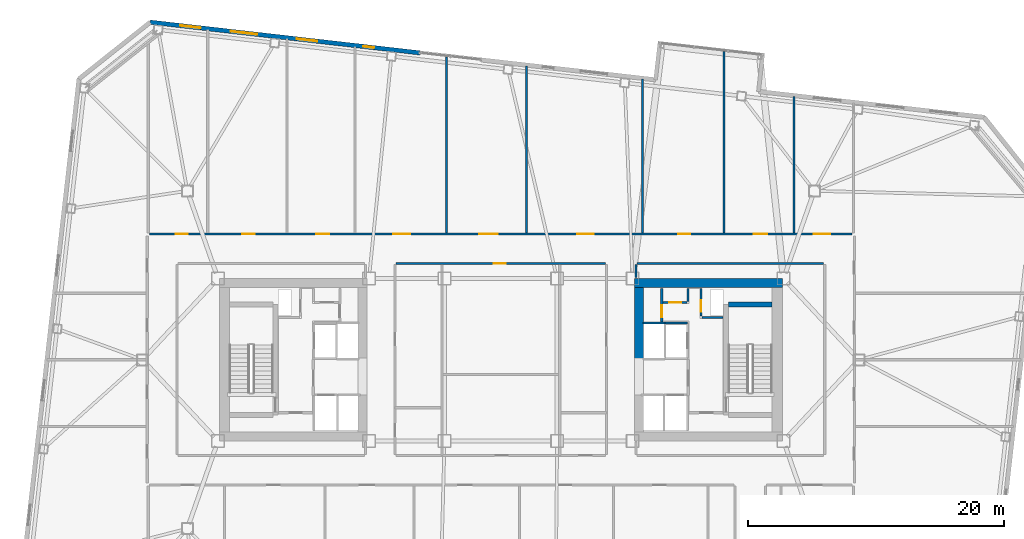
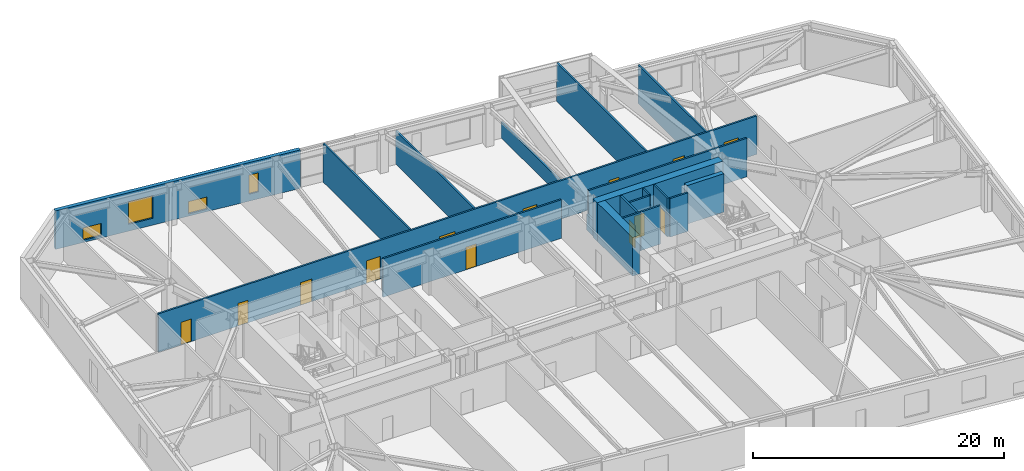
# One storey, part 16 of 23: 20 walls, 13 doors, 4 windows, 17 openings.
"""IFC4 building model written with IfcOpenShell, lengths in metres."""

import ifcopenshell
import ifcopenshell.guid

model = None  # the IFC model being written
_history = None  # IfcOwnerHistory: only IFC2X3 demands one
_inside = {}  # id of a spatial element -> (the spatial element, [elements in it])
_under = {}  # id of a project, library or spatial element -> (it, [spatial elements below it])
_declared = {}  # id of a project -> (the project, [libraries it declares])
_typed = {}  # id of a type object -> (the type object, [elements of that type])
_made_of = {}  # id of a material, layer set ... -> (it, [elements and type objects made of it])


def new_model(schema):
    """Start an empty IFC model of exactly this schema.

    Asked for "IFC4X3", IfcOpenShell would pick the latest addendum, in which some entities
    have other attributes; the version numbers below select the first issue.
    IFC2X3 requires an IfcOwnerHistory on every rooted entity: one is made here for all.
    """
    global model, _history
    if schema == "IFC4X3":
        model = ifcopenshell.file(schema_version=(4, 3, 0, 0))
    else:
        model = ifcopenshell.file(schema=schema)
    _inside.clear()
    _under.clear()
    _declared.clear()
    _typed.clear()
    _made_of.clear()
    _history = None
    if model.schema == "IFC2X3":
        org = make("IfcOrganization", Name="unknown")
        user = make(
            "IfcPersonAndOrganization",
            ThePerson=make("IfcPerson", FamilyName="unknown"),
            TheOrganization=org,
        )
        app = make(
            "IfcApplication",
            ApplicationDeveloper=org,
            Version="unknown",
            ApplicationFullName="unknown",
            ApplicationIdentifier="unknown",
        )
        _history = make(
            "IfcOwnerHistory",
            OwningUser=user,
            OwningApplication=app,
            ChangeAction="ADDED",
            CreationDate=0,
        )
    return model


def make(cls, **values):
    """One entity of the class cls with the attributes given. An attribute that is None is left unset."""
    return model.create_entity(
        cls, **{name: value for name, value in values.items() if value is not None}
    )


def rooted(cls, **values):
    """An entity with a GlobalId (a new one), such as an element, a storey or a relation."""
    return make(cls, GlobalId=ifcopenshell.guid.new(), OwnerHistory=_history, **values)


def si_unit(unit_type, name, prefix=None):
    """IfcSIUnit, for example si_unit("LENGTHUNIT", "METRE", prefix="MILLI")."""
    return make("IfcSIUnit", UnitType=unit_type, Prefix=prefix, Name=name)


def assignment(units):
    """IfcUnitAssignment: the units of a project."""
    return None if units is None else make("IfcUnitAssignment", Units=units)


def point(xyz):
    """IfcCartesianPoint."""
    return None if xyz is None else make("IfcCartesianPoint", Coordinates=xyz)


def direction(xyz):
    """IfcDirection."""
    return None if xyz is None else make("IfcDirection", DirectionRatios=xyz)


def frame(location, z_axis=None, x_axis=None):
    """IfcAxis2Placement3D, a coordinate frame: its origin and axes. An axis left out is left unset."""
    return make(
        "IfcAxis2Placement3D",
        Location=point(location),
        Axis=direction(z_axis),
        RefDirection=direction(x_axis),
    )


def frame_2d(location, x_axis=None):
    """IfcAxis2Placement2D, a coordinate frame in the plane: its origin and x axis."""
    return make(
        "IfcAxis2Placement2D", Location=point(location), RefDirection=direction(x_axis)
    )


def origin():
    """The frame at (0, 0, 0) with its axes left unset."""
    return frame((0.0, 0.0, 0.0))


def place(relative_to, where):
    """IfcLocalPlacement: puts the frame where relative to a parent placement (None: the world)."""
    return make(
        "IfcLocalPlacement", PlacementRelTo=relative_to, RelativePlacement=where
    )


def context(
    kind, dimensions, precision=None, world=None, true_north=None, identifier=None
):
    """IfcGeometricRepresentationContext, for example the 3D "Model" context."""
    return make(
        "IfcGeometricRepresentationContext",
        ContextIdentifier=identifier,
        ContextType=kind,
        CoordinateSpaceDimension=dimensions,
        Precision=precision,
        WorldCoordinateSystem=world,
        TrueNorth=true_north,
    )


def subcontext(parent, identifier, kind, view, scale=None):
    """IfcGeometricRepresentationSubContext, for example "Body" below "Model"."""
    return make(
        "IfcGeometricRepresentationSubContext",
        ContextIdentifier=identifier,
        ContextType=kind,
        ParentContext=parent,
        TargetScale=scale,
        TargetView=view,
    )


def project(units=None, contexts=None):
    """IfcProject with its units and contexts."""
    return rooted(
        "IfcProject",
        Name="project",
        RepresentationContexts=contexts,
        UnitsInContext=assignment(units),
    )


def spatial(cls, under=None, at=None, **own):
    """A site, building, storey or space (cls), placed at a placement, below another one or the project."""
    s = rooted(cls, ObjectPlacement=at, **own)
    if under is not None:
        _under.setdefault(under.id(), (under, []))[1].append(s)
    return s


def profile(cls, at=None, kind="AREA", **sizes):
    """A parametric profile (cls). Its sizes go by their IFC names, for example OverallWidth=200.0."""
    return make(cls, ProfileType=kind, Position=at, **sizes)


def rectangle(**sizes):
    """IfcRectangleProfileDef."""
    return profile("IfcRectangleProfileDef", **sizes)


def extrude(swept, where, along, depth):
    """IfcExtrudedAreaSolid: the profile swept, set in the frame where, extruded along a direction by depth."""
    return make(
        "IfcExtrudedAreaSolid",
        SweptArea=swept,
        Position=where,
        ExtrudedDirection=direction(along),
        Depth=depth,
    )


def shape(context_of_items, identifier, shape_type, items):
    """IfcShapeRepresentation: the items that make up one representation, for example the "Body"."""
    return make(
        "IfcShapeRepresentation",
        ContextOfItems=context_of_items,
        RepresentationIdentifier=identifier,
        RepresentationType=shape_type,
        Items=items,
    )


def material(Name=None, Category=None):
    """IfcMaterial."""
    return make("IfcMaterial", Name=Name, Category=Category)


def layer(
    of_material, thickness, ventilated=None, Name=None, Category=None, Priority=None
):
    """IfcMaterialLayer: one layer of a wall or slab, of a material (None: an air gap)."""
    return make(
        "IfcMaterialLayer",
        Material=of_material,
        LayerThickness=thickness,
        IsVentilated=ventilated,
        Name=Name,
        Category=Category,
        Priority=Priority,
    )


def layer_set(layers, Name=None):
    """IfcMaterialLayerSet."""
    return make("IfcMaterialLayerSet", MaterialLayers=layers, LayerSetName=Name)


def made_of(thing, what):
    """Note that an element or type object is made of a material, layer set ...; save() writes the relation."""
    if what is not None:
        _made_of.setdefault(what.id(), (what, []))[1].append(thing)
    return thing


def type_object(cls, material=None, **own):
    """A type object (cls), such as IfcWallType, which elements share."""
    return made_of(rooted(cls, **own), material)


def element(
    cls,
    number,
    at=None,
    inside=None,
    cuts=None,
    type_object=None,
    material=None,
    context=None,
    identifier="Body",
    shape_type=None,
    held_by="IfcProductDefinitionShape",
    body=None,
    shapes=None,
    **own,
):
    """One element of the class cls, such as IfcWall. Its Tag is "e" and its number.

    at: its placement. inside: the storey or other place that contains it. cuts: it is an
    opening in that element (IfcRelVoidsElement). A single representation is given by context,
    identifier, shape_type and body (its items); several are given by shapes. held_by: the class
    of the entity that holds the representations. save() writes the other relations.
    """
    e = rooted(cls, Tag="e%d" % number, ObjectPlacement=at, **own)
    if body is not None:
        shapes = [shape(context, identifier, shape_type, body)]
    if shapes is not None:
        e.Representation = make(held_by, Representations=shapes)
    if inside is not None:
        _inside.setdefault(inside.id(), (inside, []))[1].append(e)
    if cuts is not None:
        rooted(
            "IfcRelVoidsElement", RelatingBuildingElement=cuts, RelatedOpeningElement=e
        )
    if type_object is not None:
        _typed.setdefault(type_object.id(), (type_object, []))[1].append(e)
    return made_of(e, material)


def fill(opening, filler):
    """IfcRelFillsElement: the door or window that sits in an opening."""
    return rooted(
        "IfcRelFillsElement",
        RelatingOpeningElement=opening,
        RelatedBuildingElement=filler,
    )


def aggregate(whole, parts):
    """IfcRelAggregates: a whole, such as a stair, and the parts it consists of."""
    return rooted("IfcRelAggregates", RelatingObject=whole, RelatedObjects=parts)


def save(model, path):
    """Write the relations noted so far, then the file.

    IfcRelAggregates (storeys below a building ...), IfcRelContainedInSpatialStructure (elements
    in a storey), IfcRelDefinesByType, IfcRelAssociatesMaterial and IfcRelDeclares: one each for
    every whole, place, type object, material and project.
    """
    for whole, parts in _under.values():
        aggregate(whole, parts)
    for where, things in _inside.values():
        rooted(
            "IfcRelContainedInSpatialStructure",
            RelatedElements=things,
            RelatingStructure=where,
        )
    for kind, things in _typed.values():
        rooted("IfcRelDefinesByType", RelatedObjects=things, RelatingType=kind)
    for what, things in _made_of.values():
        rooted("IfcRelAssociatesMaterial", RelatedObjects=things, RelatingMaterial=what)
    for by, libraries in _declared.values():
        rooted("IfcRelDeclares", RelatingContext=by, RelatedDefinitions=libraries)
    model.write(path)


model = new_model("IFC4")

# Units and contexts
model_context = context("Model", 3, precision=1e-05, world=origin(), true_north=direction((0.0, 1.0)))
body_context = subcontext(model_context, "Body", "Model", "MODEL_VIEW")
ifc_project = project(units=[si_unit("LENGTHUNIT", "METRE"), si_unit("AREAUNIT", "SQUARE_METRE"), si_unit("VOLUMEUNIT", "CUBIC_METRE"), si_unit("PLANEANGLEUNIT", "RADIAN"), si_unit("MASSUNIT", "GRAM", prefix="KILO")], contexts=[model_context])

# Site, building, storey
site_placement = place(None, origin())
site = spatial("IfcSite", under=ifc_project, at=site_placement, CompositionType="ELEMENT")
building_placement = place(site_placement, origin())
building = spatial("IfcBuilding", under=site, at=building_placement, Name="Tavrogorsk Clinical Tower", CompositionType="ELEMENT")
storey_placement = place(building_placement, frame((0.0, 0.0, 113.39990234375)))
storey = spatial("IfcBuildingStorey", under=building, at=storey_placement, Name="L25", CompositionType="ELEMENT", Elevation=113.39990234375)

# Wall, opening, door
ifc_material_1 = material(Name="Lightweight concrete blockwork B15", Category="masonry")
ifc_layer_1 = layer(ifc_material_1, 0.159912109375)
ifc_layer_set_1 = layer_set([ifc_layer_1], Name="Lightweight concrete blockwork B15")
wall_type_1 = type_object("IfcWallType", Name="PartitionWall_160", PredefinedType="PARTITIONING", material=ifc_layer_set_1)
wall_1_placement = place(storey_placement, frame((12.580078125, 2.9599609375, 0.0), z_axis=(0.0, 0.0, 1.0), x_axis=(0.0, 1.0, 0.0)))
wall_1 = element("IfcWall", 1, at=wall_1_placement, inside=storey, type_object=wall_type_1, Name="L25 Core East Linen Closet Wall", PredefinedType="PARTITIONING", context=body_context, shape_type="SweptSolid", body=[
    extrude(rectangle(XDim=2.60009765625, YDim=0.159912109375, at=frame_2d((1.300048828125, 0.0))), origin(), (0.0, 0.0, 1.0), 3.739990234375),
])
opening_1_placement = place(wall_1_placement, frame((0.35009765625, 0.0, 0.0)))
opening_1 = element("IfcOpeningElement", 2, at=opening_1_placement, cuts=wall_1, Name="Opening ID-02", PredefinedType="OPENING", context=body_context, shape_type="SweptSolid", body=[
    extrude(rectangle(XDim=0.949951171875, YDim=2.199951171875, at=frame_2d((0.47509765625, 1.10009765625))), frame((0.0, 0.08984375, 0.0), z_axis=(0.0, -1.0, 0.0), x_axis=(1.0, 0.0, 0.0)), (0.0, 0.0, 1.0), 0.179931640625),
])
ifc_material_2 = material(Name="Laminated timber leaf on aluminium frame", Category="wood")
door_type_1 = type_object("IfcDoorType", Name="InteriorDoor_ID02_950", OperationType="NOTDEFINED", PredefinedType="DOOR", material=ifc_material_2)
door_1_placement = place(opening_1_placement, origin())
door_1 = element("IfcDoor", 3, at=door_1_placement, inside=storey, type_object=door_type_1, Name="L25 Core East Linen Closet Door", OperationType="SINGLE_SWING_RIGHT", OverallHeight=2.199951171875, OverallWidth=0.949951171875, PredefinedType="DOOR", context=body_context, shape_type="SweptSolid", body=[
    extrude(rectangle(XDim=0.949951171875, YDim=2.199951171875, at=frame_2d((0.47509765625, 1.10009765625))), frame((0.0, 0.02490234375, 0.0), z_axis=(0.0, -1.0, 0.0), x_axis=(1.0, 0.0, 0.0)), (0.0, 0.0, 1.0), 0.050048828125),
])
fill(opening_1, door_1)

wall_2_placement = place(storey_placement, frame((12.6650390625, 4.47998046875, 0.0), z_axis=(0.0, 0.0, 1.0), x_axis=(1.0, 0.0, 0.0)))
wall_2 = element("IfcWall", 4, at=wall_2_placement, inside=storey, type_object=wall_type_1, Name="L25 Core East Housekeeping South Wall", PredefinedType="PARTITIONING", context=body_context, shape_type="SweptSolid", body=[
    extrude(rectangle(XDim=1.889892578125, YDim=0.159912109375, at=frame_2d((0.94482421875, 0.0))), origin(), (0.0, 0.0, 1.0), 3.739990234375),
])
opening_2_placement = place(wall_2_placement, frame((0.5, 0.0, 0.0)))
opening_2 = element("IfcOpeningElement", 5, at=opening_2_placement, cuts=wall_2, Name="Opening ID-02", PredefinedType="OPENING", context=body_context, shape_type="SweptSolid", body=[
    extrude(rectangle(XDim=0.949951171875, YDim=2.199951171875, at=frame_2d((0.47509765625, 1.10009765625))), frame((0.0, 0.08984375, 0.0), z_axis=(0.0, -1.0, 0.0), x_axis=(1.0, 0.0, 0.0)), (0.0, 0.0, 1.0), 0.179931640625),
])
door_2_placement = place(opening_2_placement, origin())
door_2 = element("IfcDoor", 6, at=door_2_placement, inside=storey, type_object=door_type_1, Name="L25 Core East Housekeeping Closet Door", OperationType="SINGLE_SWING_LEFT", OverallHeight=2.199951171875, OverallWidth=0.949951171875, PredefinedType="DOOR", context=body_context, shape_type="SweptSolid", body=[
    extrude(rectangle(XDim=0.949951171875, YDim=2.199951171875, at=frame_2d((0.47509765625, 1.10009765625))), frame((0.0, 0.02490234375, 0.0), z_axis=(0.0, -1.0, 0.0), x_axis=(1.0, 0.0, 0.0)), (0.0, 0.0, 1.0), 0.050048828125),
])
fill(opening_2, door_2)

# Wall
wall_3_placement = place(storey_placement, frame((14.639892578125, 4.56494140625, 0.0), z_axis=(0.0, 0.0, 1.0), x_axis=(0.0, 1.0, 0.0)))
element("IfcWall", 7, at=wall_3_placement, inside=storey, type_object=wall_type_1, Name="L25 Core East Housekeeping East Wall", PredefinedType="PARTITIONING", context=body_context, shape_type="SweptSolid", body=[
    extrude(rectangle(XDim=0.9951171875, YDim=0.159912109375, at=frame_2d((0.49755859375, 0.0))), origin(), (0.0, 0.0, 1.0), 3.739990234375),
])

# Wall, openings, doors
wall_4_placement = place(storey_placement, frame((-27.465087890625, 9.830078125, 0.0), z_axis=(0.0, 0.0, 1.0), x_axis=(1.0, 0.0, 0.0)))
wall_4 = element("IfcWall", 8, at=wall_4_placement, inside=storey, type_object=wall_type_1, Name="L25 Corridor Partition 03", PredefinedType="PARTITIONING", context=body_context, shape_type="SweptSolid", body=[
    extrude(rectangle(XDim=54.93017578125, YDim=0.159912109375, at=frame_2d((27.465087890625, 0.0))), origin(), (0.0, 0.0, 1.0), 3.739990234375),
])
opening_3_placement = place(wall_4_placement, frame((2.044189453125, 0.0, 0.0)))
opening_3 = element("IfcOpeningElement", 9, at=opening_3_placement, cuts=wall_4, Name="Opening ID-02", PredefinedType="OPENING", context=body_context, shape_type="SweptSolid", body=[
    extrude(rectangle(XDim=0.949951171875, YDim=2.199951171875, at=frame_2d((0.47509765625, 1.10009765625))), frame((0.0, 0.08984375, 0.0), z_axis=(0.0, -1.0, 0.0), x_axis=(1.0, 0.0, 0.0)), (0.0, 0.0, 1.0), 0.179931640625),
])
opening_4_placement = place(wall_4_placement, frame((7.27490234375, 0.0, 0.0)))
opening_4 = element("IfcOpeningElement", 10, at=opening_4_placement, cuts=wall_4, Name="Opening ID-02", PredefinedType="OPENING", context=body_context, shape_type="SweptSolid", body=[
    extrude(rectangle(XDim=0.949951171875, YDim=2.199951171875, at=frame_2d((0.47509765625, 1.10009765625))), frame((0.0, 0.08984375, 0.0), z_axis=(0.0, -1.0, 0.0), x_axis=(1.0, 0.0, 0.0)), (0.0, 0.0, 1.0), 0.179931640625),
])
opening_5_placement = place(wall_4_placement, frame((13.02490234375, 0.0, 0.0)))
opening_5 = element("IfcOpeningElement", 11, at=opening_5_placement, cuts=wall_4, Name="Opening ID-04", PredefinedType="OPENING", context=body_context, shape_type="SweptSolid", body=[
    extrude(rectangle(XDim=1.050048828125, YDim=2.199951171875, at=frame_2d((0.52490234375, 1.10009765625))), frame((0.0, 0.08984375, 0.0), z_axis=(0.0, -1.0, 0.0), x_axis=(1.0, 0.0, 0.0)), (0.0, 0.0, 1.0), 0.179931640625),
])
opening_6_placement = place(wall_4_placement, frame((19.074951171875, 0.0, 0.0)))
opening_6 = element("IfcOpeningElement", 12, at=opening_6_placement, cuts=wall_4, Name="Opening ID-01", PredefinedType="OPENING", context=body_context, shape_type="SweptSolid", body=[
    extrude(rectangle(XDim=1.300048828125, YDim=2.199951171875, at=frame_2d((0.64990234375, 1.10009765625))), frame((0.0, 0.08984375, 0.0), z_axis=(0.0, -1.0, 0.0), x_axis=(1.0, 0.0, 0.0)), (0.0, 0.0, 1.0), 0.179931640625),
])
opening_7_placement = place(wall_4_placement, frame((25.77490234375, 0.0, 0.0)))
opening_7 = element("IfcOpeningElement", 13, at=opening_7_placement, cuts=wall_4, Name="Opening ID-05", PredefinedType="OPENING", context=body_context, shape_type="SweptSolid", body=[
    extrude(rectangle(XDim=1.449951171875, YDim=2.199951171875, at=frame_2d((0.72509765625, 1.10009765625))), frame((0.0, 0.08984375, 0.0), z_axis=(0.0, -1.0, 0.0), x_axis=(1.0, 0.0, 0.0)), (0.0, 0.0, 1.0), 0.179931640625),
])
opening_8_placement = place(wall_4_placement, frame((33.443603515625, 0.0, 0.0)))
opening_8 = element("IfcOpeningElement", 14, at=opening_8_placement, cuts=wall_4, Name="Opening ID-01", PredefinedType="OPENING", context=body_context, shape_type="SweptSolid", body=[
    extrude(rectangle(XDim=1.300048828125, YDim=2.199951171875, at=frame_2d((0.64990234375, 1.10009765625))), frame((0.0, 0.08984375, 0.0), z_axis=(0.0, -1.0, 0.0), x_axis=(1.0, 0.0, 0.0)), (0.0, 0.0, 1.0), 0.179931640625),
])
opening_9_placement = place(wall_4_placement, frame((41.340576171875, 0.0, 0.0)))
opening_9 = element("IfcOpeningElement", 15, at=opening_9_placement, cuts=wall_4, Name="Opening ID-02", PredefinedType="OPENING", context=body_context, shape_type="SweptSolid", body=[
    extrude(rectangle(XDim=0.949951171875, YDim=2.199951171875, at=frame_2d((0.47509765625, 1.10009765625))), frame((0.0, 0.08984375, 0.0), z_axis=(0.0, -1.0, 0.0), x_axis=(1.0, 0.0, 0.0)), (0.0, 0.0, 1.0), 0.179931640625),
])
opening_10_placement = place(wall_4_placement, frame((47.2470703125, 0.0, 0.0)))
opening_10 = element("IfcOpeningElement", 16, at=opening_10_placement, cuts=wall_4, Name="Opening ID-04", PredefinedType="OPENING", context=body_context, shape_type="SweptSolid", body=[
    extrude(rectangle(XDim=1.050048828125, YDim=2.199951171875, at=frame_2d((0.52490234375, 1.10009765625))), frame((0.0, 0.08984375, 0.0), z_axis=(0.0, -1.0, 0.0), x_axis=(1.0, 0.0, 0.0)), (0.0, 0.0, 1.0), 0.179931640625),
])
opening_11_placement = place(wall_4_placement, frame((51.930908203125, 0.0, 0.0)))
opening_11 = element("IfcOpeningElement", 17, at=opening_11_placement, cuts=wall_4, Name="Opening ID-01", PredefinedType="OPENING", context=body_context, shape_type="SweptSolid", body=[
    extrude(rectangle(XDim=1.300048828125, YDim=2.199951171875, at=frame_2d((0.64990234375, 1.10009765625))), frame((0.0, 0.08984375, 0.0), z_axis=(0.0, -1.0, 0.0), x_axis=(1.0, 0.0, 0.0)), (0.0, 0.0, 1.0), 0.179931640625),
])
ifc_material_3 = material(Name="Antibacterial HPL consultation door on aluminium frame", Category="aluminium")
door_type_2 = type_object("IfcDoorType", Name="ConsultDoor_ID04_1050", OperationType="NOTDEFINED", PredefinedType="DOOR", material=ifc_material_3)
door_3_placement = place(opening_5_placement, origin())
door_3 = element("IfcDoor", 18, at=door_3_placement, inside=storey, type_object=door_type_2, Name="L25 North Physiotherapy Rehab Studio 02B Door", OperationType="SINGLE_SWING_LEFT", OverallHeight=2.199951171875, OverallWidth=1.050048828125, PredefinedType="DOOR", context=body_context, shape_type="SweptSolid", body=[
    extrude(rectangle(XDim=1.050048828125, YDim=2.199951171875, at=frame_2d((0.52490234375, 1.10009765625))), frame((0.0, 0.02490234375, 0.0), z_axis=(0.0, -1.0, 0.0), x_axis=(1.0, 0.0, 0.0)), (0.0, 0.0, 1.0), 0.050048828125),
])
fill(opening_5, door_3)
door_4_placement = place(opening_10_placement, origin())
door_4 = element("IfcDoor", 19, at=door_4_placement, inside=storey, type_object=door_type_2, Name="L25 North Patient & Family Quiet Lounge 05B Door", OperationType="SINGLE_SWING_RIGHT", OverallHeight=2.199951171875, OverallWidth=1.050048828125, PredefinedType="DOOR", context=body_context, shape_type="SweptSolid", body=[
    extrude(rectangle(XDim=1.050048828125, YDim=2.199951171875, at=frame_2d((0.52490234375, 1.10009765625))), frame((0.0, 0.02490234375, 0.0), z_axis=(0.0, -1.0, 0.0), x_axis=(1.0, 0.0, 0.0)), (0.0, 0.0, 1.0), 0.050048828125),
])
fill(opening_10, door_4)
ifc_material_4 = material(Name="Antibacterial HPL bariatric ward double door")
door_type_3 = type_object("IfcDoorType", Name="DoubleWardDoor_ID05_1450", OperationType="DOUBLE_SWING_LEFT", PredefinedType="DOOR", material=ifc_material_4)
door_5_placement = place(opening_7_placement, origin())
door_5 = element("IfcDoor", 20, at=door_5_placement, inside=storey, type_object=door_type_3, Name="L25 North Step-Down Telemetry Ward 03B Door", OperationType="DOUBLE_SWING_LEFT", OverallHeight=2.199951171875, OverallWidth=1.449951171875, PredefinedType="DOOR", context=body_context, shape_type="SweptSolid", body=[
    extrude(rectangle(XDim=1.449951171875, YDim=2.199951171875, at=frame_2d((0.72509765625, 1.10009765625))), frame((0.0, 0.02490234375, 0.0), z_axis=(0.0, -1.0, 0.0), x_axis=(1.0, 0.0, 0.0)), (0.0, 0.0, 1.0), 0.050048828125),
])
fill(opening_7, door_5)
door_6_placement = place(opening_3_placement, origin())
door_6 = element("IfcDoor", 21, at=door_6_placement, inside=storey, type_object=door_type_1, Name="L25 North Physician Consultation Office 01 Door", OperationType="SINGLE_SWING_LEFT", OverallHeight=2.199951171875, OverallWidth=0.949951171875, PredefinedType="DOOR", context=body_context, shape_type="SweptSolid", body=[
    extrude(rectangle(XDim=0.949951171875, YDim=2.199951171875, at=frame_2d((0.47509765625, 1.10009765625))), frame((0.0, 0.02490234375, 0.0), z_axis=(0.0, -1.0, 0.0), x_axis=(1.0, 0.0, 0.0)), (0.0, 0.0, 1.0), 0.050048828125),
])
fill(opening_3, door_6)
door_7_placement = place(opening_4_placement, origin())
door_7 = element("IfcDoor", 22, at=door_7_placement, inside=storey, type_object=door_type_1, Name="L25 North Patient & Family Quiet Lounge 02A Door", OperationType="SINGLE_SWING_RIGHT", OverallHeight=2.199951171875, OverallWidth=0.949951171875, PredefinedType="DOOR", context=body_context, shape_type="SweptSolid", body=[
    extrude(rectangle(XDim=0.949951171875, YDim=2.199951171875, at=frame_2d((0.47509765625, 1.10009765625))), frame((0.0, 0.02490234375, 0.0), z_axis=(0.0, -1.0, 0.0), x_axis=(1.0, 0.0, 0.0)), (0.0, 0.0, 1.0), 0.050048828125),
])
fill(opening_4, door_7)
door_8_placement = place(opening_9_placement, origin())
door_8 = element("IfcDoor", 23, at=door_8_placement, inside=storey, type_object=door_type_1, Name="L25 North Multidisciplinary Case Room 05A Door", OperationType="SINGLE_SWING_LEFT", OverallHeight=2.199951171875, OverallWidth=0.949951171875, PredefinedType="DOOR", context=body_context, shape_type="SweptSolid", body=[
    extrude(rectangle(XDim=0.949951171875, YDim=2.199951171875, at=frame_2d((0.47509765625, 1.10009765625))), frame((0.0, 0.02490234375, 0.0), z_axis=(0.0, -1.0, 0.0), x_axis=(1.0, 0.0, 0.0)), (0.0, 0.0, 1.0), 0.050048828125),
])
fill(opening_9, door_8)
ifc_material_5 = material(Name="Antibacterial HPL medical leaf on aluminium frame", Category="aluminium")
door_type_4 = type_object("IfcDoorType", Name="WardBedDoor_ID01_1300", OperationType="NOTDEFINED", PredefinedType="DOOR", material=ifc_material_5)
door_9_placement = place(opening_6_placement, origin())
door_9 = element("IfcDoor", 24, at=door_9_placement, inside=storey, type_object=door_type_4, Name="L25 North Acute Isolation Suite 03A Door", OperationType="SINGLE_SWING_RIGHT", OverallHeight=2.199951171875, OverallWidth=1.300048828125, PredefinedType="DOOR", context=body_context, shape_type="SweptSolid", body=[
    extrude(rectangle(XDim=1.300048828125, YDim=2.199951171875, at=frame_2d((0.64990234375, 1.10009765625))), frame((0.0, 0.02490234375, 0.0), z_axis=(0.0, -1.0, 0.0), x_axis=(1.0, 0.0, 0.0)), (0.0, 0.0, 1.0), 0.050048828125),
])
fill(opening_6, door_9)
door_10_placement = place(opening_8_placement, origin())
door_10 = element("IfcDoor", 25, at=door_10_placement, inside=storey, type_object=door_type_4, Name="L25 North Sub-Acute Recovery Ward 04 Door", OperationType="SINGLE_SWING_RIGHT", OverallHeight=2.199951171875, OverallWidth=1.300048828125, PredefinedType="DOOR", context=body_context, shape_type="SweptSolid", body=[
    extrude(rectangle(XDim=1.300048828125, YDim=2.199951171875, at=frame_2d((0.64990234375, 1.10009765625))), frame((0.0, 0.02490234375, 0.0), z_axis=(0.0, -1.0, 0.0), x_axis=(1.0, 0.0, 0.0)), (0.0, 0.0, 1.0), 0.050048828125),
])
fill(opening_8, door_10)
door_11_placement = place(opening_11_placement, origin())
door_11 = element("IfcDoor", 26, at=door_11_placement, inside=storey, type_object=door_type_4, Name="L25 North Inpatient Clinical Ward 06 Door", OperationType="SINGLE_SWING_LEFT", OverallHeight=2.199951171875, OverallWidth=1.300048828125, PredefinedType="DOOR", context=body_context, shape_type="SweptSolid", body=[
    extrude(rectangle(XDim=1.300048828125, YDim=2.199951171875, at=frame_2d((0.64990234375, 1.10009765625))), frame((0.0, 0.02490234375, 0.0), z_axis=(0.0, -1.0, 0.0), x_axis=(1.0, 0.0, 0.0)), (0.0, 0.0, 1.0), 0.050048828125),
])
fill(opening_11, door_11)

# Walls
wall_5_placement = place(storey_placement, frame((25.235107421875, 7.52001953125, 0.0), z_axis=(0.0, 0.0, 1.0), x_axis=(-1.0, 0.0, 0.0)))
element("IfcWall", 27, at=wall_5_placement, inside=storey, type_object=wall_type_1, Name="L25 Corridor Partition 09", PredefinedType="PARTITIONING", context=body_context, shape_type="SweptSolid", body=[
    extrude(rectangle(XDim=14.570068359375, YDim=0.159912109375, at=frame_2d((7.28515625, 0.0))), origin(), (0.0, 0.0, 1.0), 3.739990234375),
])
wall_6_placement = place(storey_placement, frame((10.580078125, 7.43505859375, 0.0), z_axis=(0.0, 0.0, 1.0), x_axis=(0.0, -1.0, 0.0)))
element("IfcWall", 28, at=wall_6_placement, inside=storey, type_object=wall_type_1, Name="L25 Corridor Partition 10", PredefinedType="PARTITIONING", context=body_context, shape_type="SweptSolid", body=[
    extrude(rectangle(XDim=1.01513671875, YDim=0.159912109375, at=frame_2d((0.507568359375, 0.0))), origin(), (0.0, 0.0, 1.0), 1.53515625),
])

# Wall, opening, door
wall_7_placement = place(storey_placement, frame((8.18505859375, 7.52001953125, 0.0), z_axis=(0.0, 0.0, 1.0), x_axis=(-1.0, 0.0, 0.0)))
wall_7 = element("IfcWall", 29, at=wall_7_placement, inside=storey, type_object=wall_type_1, Name="L25 Corridor Partition 14", PredefinedType="PARTITIONING", context=body_context, shape_type="SweptSolid", body=[
    extrude(rectangle(XDim=16.3701171875, YDim=0.159912109375, at=frame_2d((8.18505859375, 0.0))), origin(), (0.0, 0.0, 1.0), 3.739990234375),
])
opening_12_placement = place(wall_7_placement, frame((7.794921875, 0.0, 0.0)))
opening_12 = element("IfcOpeningElement", 30, at=opening_12_placement, cuts=wall_7, Name="Opening ID-02", PredefinedType="OPENING", context=body_context, shape_type="SweptSolid", body=[
    extrude(rectangle(XDim=0.949951171875, YDim=2.199951171875, at=frame_2d((0.47509765625, 1.10009765625))), frame((0.0, 0.08984375, 0.0), z_axis=(0.0, -1.0, 0.0), x_axis=(1.0, 0.0, 0.0)), (0.0, 0.0, 1.0), 0.179931640625),
])
door_12_placement = place(opening_12_placement, origin())
door_12 = element("IfcDoor", 31, at=door_12_placement, inside=storey, type_object=door_type_1, Name="L25 Nurses' Station & Triage Hub Door", OperationType="SINGLE_SWING_LEFT", OverallHeight=2.199951171875, OverallWidth=0.949951171875, PredefinedType="DOOR", context=body_context, shape_type="SweptSolid", body=[
    extrude(rectangle(XDim=0.949951171875, YDim=2.199951171875, at=frame_2d((0.47509765625, 1.10009765625))), frame((0.0, 0.02490234375, 0.0), z_axis=(0.0, -1.0, 0.0), x_axis=(1.0, 0.0, 0.0)), (0.0, 0.0, 1.0), 0.050048828125),
])
fill(opening_12, door_12)

# Walls
wall_8_placement = place(storey_placement, frame((2.0, 9.9150390625, 0.0), z_axis=(0.0, 0.0, 1.0), x_axis=(0.0, 1.0, 0.0)))
element("IfcWall", 32, at=wall_8_placement, inside=storey, type_object=wall_type_1, Name="L25 North Room Partition 3", PredefinedType="PARTITIONING", context=body_context, shape_type="SweptSolid", body=[
    extrude(rectangle(XDim=13.049560546875, YDim=0.159912109375, at=frame_2d((6.52490234375, 0.0))), origin(), (0.0, 0.0, 1.0), 3.235107421875),
])
wall_9_placement = place(storey_placement, frame((11.0869140625, 9.9150390625, 0.0), z_axis=(0.0, 0.0, 1.0), x_axis=(0.0, 1.0, 0.0)))
element("IfcWall", 33, at=wall_9_placement, inside=storey, type_object=wall_type_1, Name="L25 North Room Partition 4", PredefinedType="PARTITIONING", context=body_context, shape_type="SweptSolid", body=[
    extrude(rectangle(XDim=12.01416015625, YDim=0.159912109375, at=frame_2d((6.007080078125, 0.0))), origin(), (0.0, 0.0, 1.0), 1.53515625),
])
wall_10_placement = place(storey_placement, frame((22.89990234375, 9.9150390625, 0.0), z_axis=(0.0, 0.0, 1.0), x_axis=(0.0, 1.0, 0.0)))
element("IfcWall", 34, at=wall_10_placement, inside=storey, type_object=wall_type_1, Name="L25 North Room Partition 5", PredefinedType="PARTITIONING", context=body_context, shape_type="SweptSolid", body=[
    extrude(rectangle(XDim=10.668212890625, YDim=0.159912109375, at=frame_2d((5.333984375, 0.0))), origin(), (0.0, 0.0, 1.0), 3.739990234375),
])
wall_11_placement = place(storey_placement, frame((-4.25, 9.9150390625, 0.0), z_axis=(0.0, 0.0, 1.0), x_axis=(0.0, 1.0, 0.0)))
element("IfcWall", 35, at=wall_11_placement, inside=storey, type_object=wall_type_1, Name="L25 North Sub-Partition 3", PredefinedType="PARTITIONING", context=body_context, shape_type="SweptSolid", body=[
    extrude(rectangle(XDim=13.761474609375, YDim=0.159912109375, at=frame_2d((6.880859375, 0.0))), origin(), (0.0, 0.0, 1.0), 3.739990234375),
])
wall_12_placement = place(storey_placement, frame((17.444091796875, 9.9150390625, 0.0), z_axis=(0.0, 0.0, 1.0), x_axis=(0.0, 1.0, 0.0)))
element("IfcWall", 36, at=wall_12_placement, inside=storey, type_object=wall_type_1, Name="L25 North Sub-Partition 5", PredefinedType="PARTITIONING", context=body_context, shape_type="SweptSolid", body=[
    extrude(rectangle(XDim=14.158203125, YDim=0.159912109375, at=frame_2d((7.0791015625, 0.0))), origin(), (0.0, 0.0, 1.0), 3.739990234375),
])

# Wall, openings, windows
ifc_material_6 = material(Name="Precast concrete B45 with limestone cladding", Category="masonry")
ifc_layer_2 = layer(ifc_material_6, 0.340087890625)
ifc_layer_set_2 = layer_set([ifc_layer_2], Name="Precast concrete B45 with limestone cladding")
wall_type_2 = type_object("IfcWallType", Name="PrecastLimestoneWall_340", PredefinedType="STANDARD", material=ifc_layer_set_2)
wall_13_placement = place(storey_placement, frame((-6.314453125, 23.982177734375, 0.0), z_axis=(0.0, 0.0, 1.0), x_axis=(-0.993571362037, 0.113207546299, 0.0)))
wall_13 = element("IfcWall", 37, at=wall_13_placement, inside=storey, type_object=wall_type_2, Name="L25 N Limestone Facade Wall 3", PredefinedType="STANDARD", context=body_context, shape_type="SweptSolid", body=[
    extrude(rectangle(XDim=21.222900390625, YDim=0.340087890625, at=frame_2d((10.611328125, 0.0))), origin(), (0.0, 0.0, 1.0), 3.739990234375),
])
opening_13_placement = place(wall_13_placement, frame((17.264892578125, 0.0, 0.219970703125)))
opening_13 = element("IfcOpeningElement", 38, at=opening_13_placement, cuts=wall_13, Name="Opening WN-09", PredefinedType="OPENING", context=body_context, shape_type="SweptSolid", body=[
    extrude(rectangle(XDim=1.60009765625, YDim=1.199951171875, at=frame_2d((0.800048828125, 0.60009765625))), frame((0.0, 0.179931640625, 0.0), z_axis=(0.0, -1.0, 0.0), x_axis=(1.0, 0.0, 0.0)), (0.0, 0.0, 1.0), 0.360107421875),
])
opening_14_placement = place(wall_13_placement, frame((12.793701171875, 0.0, 0.669921875)))
opening_14 = element("IfcOpeningElement", 39, at=opening_14_placement, cuts=wall_13, Name="Opening WN-03", PredefinedType="OPENING", context=body_context, shape_type="SweptSolid", body=[
    extrude(rectangle(XDim=2.10009765625, YDim=2.199951171875, at=frame_2d((1.050048828125, 1.10009765625))), frame((0.0, 0.179931640625, 0.0), z_axis=(0.0, -1.0, 0.0), x_axis=(1.0, 0.0, 0.0)), (0.0, 0.0, 1.0), 0.360107421875),
])
opening_15_placement = place(wall_13_placement, frame((8.087890625, 0.0, 0.219970703125)))
opening_15 = element("IfcOpeningElement", 40, at=opening_15_placement, cuts=wall_13, Name="Opening WN-09", PredefinedType="OPENING", context=body_context, shape_type="SweptSolid", body=[
    extrude(rectangle(XDim=1.60009765625, YDim=1.199951171875, at=frame_2d((0.800048828125, 0.60009765625))), frame((0.0, 0.179931640625, 0.0), z_axis=(0.0, -1.0, 0.0), x_axis=(1.0, 0.0, 0.0)), (0.0, 0.0, 1.0), 0.360107421875),
])
opening_16_placement = place(wall_13_placement, frame((3.616455078125, 0.0, 0.669921875)))
opening_16 = element("IfcOpeningElement", 41, at=opening_16_placement, cuts=wall_13, Name="Opening WN-06", PredefinedType="OPENING", context=body_context, shape_type="SweptSolid", body=[
    extrude(rectangle(XDim=0.85009765625, YDim=1.85009765625, at=frame_2d((0.425048828125, 0.925048828125))), frame((0.0, 0.179931640625, 0.0), z_axis=(0.0, -1.0, 0.0), x_axis=(1.0, 0.0, 0.0)), (0.0, 0.0, 1.0), 0.360107421875),
])
ifc_material_7 = material(Name="Thermally broken aluminium frame and triple IGU", Category="aluminium")
window_type_1 = type_object("IfcWindowType", Name="LowHeadTransWin_1600x1200", PartitioningType="DOUBLE_PANEL_VERTICAL", PredefinedType="WINDOW", material=ifc_material_7)
window_1_placement = place(opening_13_placement, origin())
window_1 = element("IfcWindow", 42, at=window_1_placement, inside=storey, type_object=window_type_1, Name="L25 N Chicago Window 01", OverallHeight=1.199951171875, OverallWidth=1.60009765625, PartitioningType="SINGLE_PANEL", PredefinedType="WINDOW", context=body_context, shape_type="SweptSolid", body=[
    extrude(rectangle(XDim=1.60009765625, YDim=1.199951171875, at=frame_2d((0.800048828125, 0.60009765625))), frame((0.0, 0.030029296875, 0.0), z_axis=(0.0, -1.0, 0.0), x_axis=(1.0, 0.0, 0.0)), (0.0, 0.0, 1.0), 0.06005859375),
])
fill(opening_13, window_1)
window_2_placement = place(opening_15_placement, origin())
window_2 = element("IfcWindow", 43, at=window_2_placement, inside=storey, type_object=window_type_1, Name="L25 N Chicago Window 03", OverallHeight=1.199951171875, OverallWidth=1.60009765625, PartitioningType="SINGLE_PANEL", PredefinedType="WINDOW", context=body_context, shape_type="SweptSolid", body=[
    extrude(rectangle(XDim=1.60009765625, YDim=1.199951171875, at=frame_2d((0.800048828125, 0.60009765625))), frame((0.0, 0.030029296875, 0.0), z_axis=(0.0, -1.0, 0.0), x_axis=(1.0, 0.0, 0.0)), (0.0, 0.0, 1.0), 0.06005859375),
])
fill(opening_15, window_2)
ifc_material_8 = material(Name="Thermally broken aluminium frame and triple IGU", Category="aluminium")
window_type_2 = type_object("IfcWindowType", Name="MullionSubWin_850x1850", PartitioningType="SINGLE_PANEL", PredefinedType="WINDOW", material=ifc_material_8)
window_3_placement = place(opening_16_placement, origin())
window_3 = element("IfcWindow", 44, at=window_3_placement, inside=storey, type_object=window_type_2, Name="L25 N Mullion Split Window 04A", OverallHeight=1.85009765625, OverallWidth=0.85009765625, PartitioningType="SINGLE_PANEL", PredefinedType="WINDOW", context=body_context, shape_type="SweptSolid", body=[
    extrude(rectangle(XDim=0.85009765625, YDim=1.85009765625, at=frame_2d((0.425048828125, 0.925048828125))), frame((0.0, 0.030029296875, 0.0), z_axis=(0.0, -1.0, 0.0), x_axis=(1.0, 0.0, 0.0)), (0.0, 0.0, 1.0), 0.06005859375),
])
fill(opening_16, window_3)
ifc_material_9 = material(Name="Thermally broken aluminium frame and triple IGU", Category="aluminium")
window_type_3 = type_object("IfcWindowType", Name="PatientTwinWin_2100x2200", PartitioningType="DOUBLE_PANEL_VERTICAL", PredefinedType="WINDOW", material=ifc_material_9)
window_4_placement = place(opening_14_placement, origin())
window_4 = element("IfcWindow", 45, at=window_4_placement, inside=storey, type_object=window_type_3, Name="L25 N Chicago Window 02", OverallHeight=2.199951171875, OverallWidth=2.10009765625, PartitioningType="SINGLE_PANEL", PredefinedType="WINDOW", context=body_context, shape_type="SweptSolid", body=[
    extrude(rectangle(XDim=2.10009765625, YDim=2.199951171875, at=frame_2d((1.050048828125, 1.10009765625))), frame((0.0, 0.030029296875, 0.0), z_axis=(0.0, -1.0, 0.0), x_axis=(1.0, 0.0, 0.0)), (0.0, 0.0, 1.0), 0.06005859375),
])
fill(opening_14, window_4)

# Walls
ifc_material_10 = material(Name="Lightweight concrete blockwork B25", Category="masonry")
ifc_layer_3 = layer(ifc_material_10, 0.159912109375)
ifc_layer_set_3 = layer_set([ifc_layer_3], Name="Lightweight concrete blockwork B25")
wall_type_3 = type_object("IfcWallType", Name="ShaftWall_160", PredefinedType="PARTITIONING", material=ifc_layer_set_3)
wall_14_placement = place(storey_placement, frame((12.840087890625, 2.8798828125, 0.0), z_axis=(0.0, 0.0, 1.0), x_axis=(1.0, 0.0, 0.0)))
element("IfcWall", 46, at=wall_14_placement, inside=storey, type_object=wall_type_3, Name="L25 FFL-E Shaft North Wall", PredefinedType="PARTITIONING", context=body_context, shape_type="SweptSolid", body=[
    extrude(rectangle(XDim=1.760009765625, YDim=0.159912109375, at=frame_2d((0.8798828125, 0.0))), origin(), (0.0, 0.0, 1.0), 3.739990234375),
])
wall_15_placement = place(storey_placement, frame((11.10009765625, 2.860107421875, 0.0), z_axis=(0.0, 0.0, 1.0), x_axis=(1.0, 0.0, 0.0)))
element("IfcWall", 47, at=wall_15_placement, inside=storey, type_object=wall_type_3, Name="L25 LP-H2 High-Zone Lift Rear Wall", PredefinedType="PARTITIONING", context=body_context, shape_type="SweptSolid", body=[
    extrude(rectangle(XDim=1.719970703125, YDim=0.159912109375, at=frame_2d((0.85986328125, 0.0))), origin(), (0.0, 0.0, 1.0), 3.739990234375),
])

# Wall, opening, door
wall_16_placement = place(storey_placement, frame((15.639892578125, 3.405029296875, 0.0), z_axis=(0.0, 0.0, 1.0), x_axis=(0.0, 1.0, 0.0)))
wall_16 = element("IfcWall", 48, at=wall_16_placement, inside=storey, type_object=wall_type_3, Name="L25 Core East Riser West Wall", PredefinedType="PARTITIONING", context=body_context, shape_type="SweptSolid", body=[
    extrude(rectangle(XDim=2.155029296875, YDim=0.159912109375, at=frame_2d((1.07763671875, 0.0))), origin(), (0.0, 0.0, 1.0), 3.739990234375),
])
opening_17_placement = place(wall_16_placement, frame((0.35009765625, 0.0, 0.0)))
opening_17 = element("IfcOpeningElement", 49, at=opening_17_placement, cuts=wall_16, Name="Opening FD-02", PredefinedType="OPENING", context=body_context, shape_type="SweptSolid", body=[
    extrude(rectangle(XDim=0.89990234375, YDim=2.199951171875, at=frame_2d((0.449951171875, 1.10009765625))), frame((0.0, 0.08984375, 0.0), z_axis=(0.0, -1.0, 0.0), x_axis=(1.0, 0.0, 0.0)), (0.0, 0.0, 1.0), 0.179931640625),
])
ifc_material_11 = material(Name="Galvanised steel fire-rated door assembly", Category="steel")
door_type_5 = type_object("IfcDoorType", Name="FireDoor_FD02_900", OperationType="NOTDEFINED", PredefinedType="DOOR", material=ifc_material_11)
door_13_placement = place(opening_17_placement, origin())
door_13 = element("IfcDoor", 50, at=door_13_placement, inside=storey, type_object=door_type_5, Name="L25 Core East Electrical Riser Access Door", OperationType="SINGLE_SWING_RIGHT", OverallHeight=2.199951171875, OverallWidth=0.89990234375, PredefinedType="DOOR", context=body_context, shape_type="SweptSolid", body=[
    extrude(rectangle(XDim=0.89990234375, YDim=2.199951171875, at=frame_2d((0.449951171875, 1.10009765625))), frame((0.0, 0.02490234375, 0.0), z_axis=(0.0, -1.0, 0.0), x_axis=(1.0, 0.0, 0.0)), (0.0, 0.0, 1.0), 0.050048828125),
])
fill(opening_17, door_13)

# Walls
wall_17_placement = place(storey_placement, frame((15.72509765625, 3.320068359375, 0.0), z_axis=(0.0, 0.0, 1.0), x_axis=(1.0, 0.0, 0.0)))
element("IfcWall", 51, at=wall_17_placement, inside=storey, type_object=wall_type_3, Name="L25 Core East Riser South Wall", PredefinedType="PARTITIONING", context=body_context, shape_type="SweptSolid", body=[
    extrude(rectangle(XDim=1.65478515625, YDim=0.159912109375, at=frame_2d((0.827392578125, 0.0))), origin(), (0.0, 0.0, 1.0), 3.739990234375),
])
ifc_material_12 = material(Name="Concrete B80", Category="concrete")
ifc_layer_4 = layer(ifc_material_12, 0.39990234375)
ifc_layer_set_4 = layer_set([ifc_layer_4], Name="Concrete B80")
wall_type_4 = type_object("IfcWallType", Name="ShearWall_400", PredefinedType="SHEAR", material=ifc_layer_set_4)
wall_18_placement = place(storey_placement, frame((17.800048828125, 4.324951171875, 0.0), z_axis=(0.0, 0.0, 1.0), x_axis=(1.0, 0.0, 0.0)))
element("IfcWall", 52, at=wall_18_placement, inside=storey, type_object=wall_type_4, Name="L25 Core East Stair Shaft North Shear Wall", PredefinedType="SHEAR", context=body_context, shape_type="SweptSolid", body=[
    extrude(rectangle(XDim=3.39990234375, YDim=0.39990234375, at=frame_2d((1.699951171875, 0.0))), origin(), (0.0, 0.0, 1.0), 3.739990234375),
])
ifc_material_13 = material(Name="Concrete B80", Category="concrete")
ifc_layer_5 = layer(ifc_material_13, 0.699951171875)
ifc_layer_set_5 = layer_set([ifc_layer_5], Name="Concrete B80")
wall_type_5 = type_object("IfcWallType", Name="ShearWall_700", PredefinedType="SHEAR", material=ifc_layer_set_5)
wall_19_placement = place(storey_placement, frame((10.449951171875, 6.0, 0.0), z_axis=(0.0, 0.0, 1.0), x_axis=(1.0, 0.0, 0.0)))
element("IfcWall", 53, at=wall_19_placement, inside=storey, type_object=wall_type_5, Name="L25 Core East North Shear Wall", PredefinedType="SHEAR", context=body_context, shape_type="SweptSolid", body=[
    extrude(rectangle(XDim=11.550048828125, YDim=0.699951171875, at=frame_2d((5.77490234375, 0.0))), origin(), (0.0, 0.0, 1.0), 3.739990234375),
])
wall_20_placement = place(storey_placement, frame((10.800048828125, 0.050048828125, 0.0), z_axis=(0.0, 0.0, 1.0), x_axis=(0.0, 1.0, 0.0)))
element("IfcWall", 54, at=wall_20_placement, inside=storey, type_object=wall_type_5, Name="L25 Core East Inner North Pier", PredefinedType="SHEAR", context=body_context, shape_type="SweptSolid", body=[
    extrude(rectangle(XDim=5.599853515625, YDim=0.699951171875, at=frame_2d((2.7998046875, 0.0))), origin(), (0.0, 0.0, 1.0), 3.739990234375),
])

save(model, "model.ifc")
